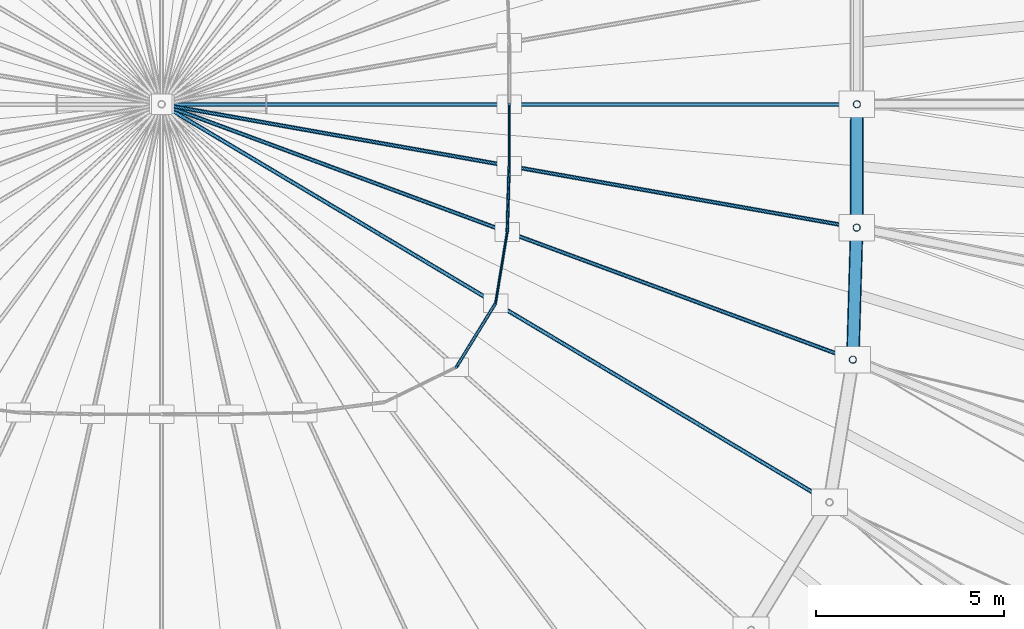
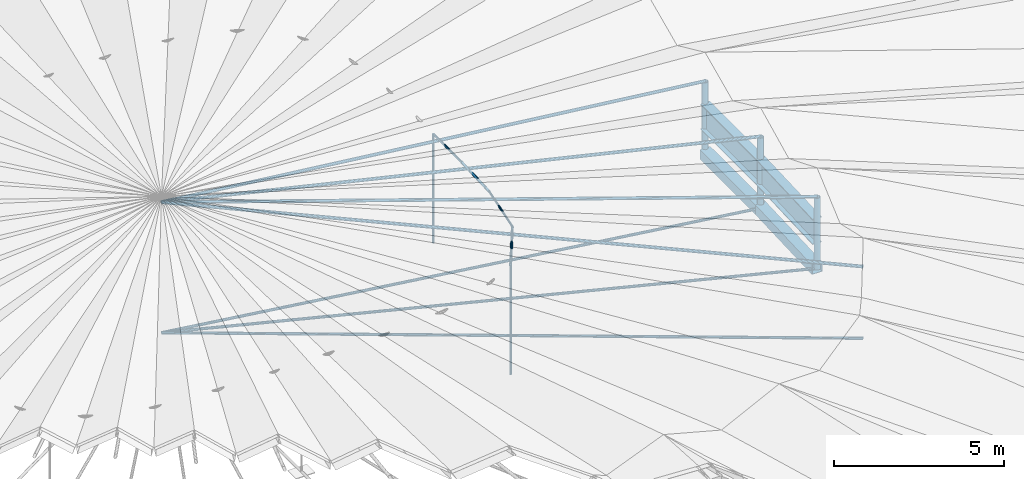
# One storey, part 21 of 41: 18 members, 2 beams.
"""IFC4 building model written with IfcOpenShell, lengths in metres."""

import ifcopenshell
import ifcopenshell.guid

model = None  # the IFC model being written
_history = None  # IfcOwnerHistory: only IFC2X3 demands one
_inside = {}  # id of a spatial element -> (the spatial element, [elements in it])
_under = {}  # id of a project, library or spatial element -> (it, [spatial elements below it])
_declared = {}  # id of a project -> (the project, [libraries it declares])
_typed = {}  # id of a type object -> (the type object, [elements of that type])
_made_of = {}  # id of a material, layer set ... -> (it, [elements and type objects made of it])


def new_model(schema):
    """Start an empty IFC model of exactly this schema.

    Asked for "IFC4X3", IfcOpenShell would pick the latest addendum, in which some entities
    have other attributes; the version numbers below select the first issue.
    IFC2X3 requires an IfcOwnerHistory on every rooted entity: one is made here for all.
    """
    global model, _history
    if schema == "IFC4X3":
        model = ifcopenshell.file(schema_version=(4, 3, 0, 0))
    else:
        model = ifcopenshell.file(schema=schema)
    _inside.clear()
    _under.clear()
    _declared.clear()
    _typed.clear()
    _made_of.clear()
    _history = None
    if model.schema == "IFC2X3":
        org = make("IfcOrganization", Name="unknown")
        user = make(
            "IfcPersonAndOrganization",
            ThePerson=make("IfcPerson", FamilyName="unknown"),
            TheOrganization=org,
        )
        app = make(
            "IfcApplication",
            ApplicationDeveloper=org,
            Version="unknown",
            ApplicationFullName="unknown",
            ApplicationIdentifier="unknown",
        )
        _history = make(
            "IfcOwnerHistory",
            OwningUser=user,
            OwningApplication=app,
            ChangeAction="ADDED",
            CreationDate=0,
        )
    return model


def make(cls, **values):
    """One entity of the class cls with the attributes given. An attribute that is None is left unset."""
    return model.create_entity(
        cls, **{name: value for name, value in values.items() if value is not None}
    )


def rooted(cls, **values):
    """An entity with a GlobalId (a new one), such as an element, a storey or a relation."""
    return make(cls, GlobalId=ifcopenshell.guid.new(), OwnerHistory=_history, **values)


def si_unit(unit_type, name, prefix=None):
    """IfcSIUnit, for example si_unit("LENGTHUNIT", "METRE", prefix="MILLI")."""
    return make("IfcSIUnit", UnitType=unit_type, Prefix=prefix, Name=name)


def assignment(units):
    """IfcUnitAssignment: the units of a project."""
    return None if units is None else make("IfcUnitAssignment", Units=units)


def point(xyz):
    """IfcCartesianPoint."""
    return None if xyz is None else make("IfcCartesianPoint", Coordinates=xyz)


def direction(xyz):
    """IfcDirection."""
    return None if xyz is None else make("IfcDirection", DirectionRatios=xyz)


def frame(location, z_axis=None, x_axis=None):
    """IfcAxis2Placement3D, a coordinate frame: its origin and axes. An axis left out is left unset."""
    return make(
        "IfcAxis2Placement3D",
        Location=point(location),
        Axis=direction(z_axis),
        RefDirection=direction(x_axis),
    )


def frame_2d(location, x_axis=None):
    """IfcAxis2Placement2D, a coordinate frame in the plane: its origin and x axis."""
    return make(
        "IfcAxis2Placement2D", Location=point(location), RefDirection=direction(x_axis)
    )


def origin():
    """The frame at (0, 0, 0) with its axes left unset."""
    return frame((0.0, 0.0, 0.0))


def origin_2d():
    """The frame at (0, 0) in the plane with its x axis left unset."""
    return frame_2d((0.0, 0.0))


def place(relative_to, where):
    """IfcLocalPlacement: puts the frame where relative to a parent placement (None: the world)."""
    return make(
        "IfcLocalPlacement", PlacementRelTo=relative_to, RelativePlacement=where
    )


def context(
    kind, dimensions, precision=None, world=None, true_north=None, identifier=None
):
    """IfcGeometricRepresentationContext, for example the 3D "Model" context."""
    return make(
        "IfcGeometricRepresentationContext",
        ContextIdentifier=identifier,
        ContextType=kind,
        CoordinateSpaceDimension=dimensions,
        Precision=precision,
        WorldCoordinateSystem=world,
        TrueNorth=true_north,
    )


def subcontext(parent, identifier, kind, view, scale=None):
    """IfcGeometricRepresentationSubContext, for example "Body" below "Model"."""
    return make(
        "IfcGeometricRepresentationSubContext",
        ContextIdentifier=identifier,
        ContextType=kind,
        ParentContext=parent,
        TargetScale=scale,
        TargetView=view,
    )


def project(units=None, contexts=None):
    """IfcProject with its units and contexts."""
    return rooted(
        "IfcProject",
        Name="project",
        RepresentationContexts=contexts,
        UnitsInContext=assignment(units),
    )


def spatial(cls, under=None, at=None, **own):
    """A site, building, storey or space (cls), placed at a placement, below another one or the project."""
    s = rooted(cls, ObjectPlacement=at, **own)
    if under is not None:
        _under.setdefault(under.id(), (under, []))[1].append(s)
    return s


def profile(cls, at=None, kind="AREA", **sizes):
    """A parametric profile (cls). Its sizes go by their IFC names, for example OverallWidth=200.0."""
    return make(cls, ProfileType=kind, Position=at, **sizes)


def hollow_rectangle(**sizes):
    """IfcRectangleHollowProfileDef."""
    return profile("IfcRectangleHollowProfileDef", **sizes)


def circle(**sizes):
    """IfcCircleProfileDef."""
    return profile("IfcCircleProfileDef", **sizes)


def hollow_circle(**sizes):
    """IfcCircleHollowProfileDef."""
    return profile("IfcCircleHollowProfileDef", **sizes)


def i_section(**sizes):
    """IfcIShapeProfileDef."""
    return profile("IfcIShapeProfileDef", **sizes)


def extrude(swept, where, along, depth):
    """IfcExtrudedAreaSolid: the profile swept, set in the frame where, extruded along a direction by depth."""
    return make(
        "IfcExtrudedAreaSolid",
        SweptArea=swept,
        Position=where,
        ExtrudedDirection=direction(along),
        Depth=depth,
    )


def shape(context_of_items, identifier, shape_type, items):
    """IfcShapeRepresentation: the items that make up one representation, for example the "Body"."""
    return make(
        "IfcShapeRepresentation",
        ContextOfItems=context_of_items,
        RepresentationIdentifier=identifier,
        RepresentationType=shape_type,
        Items=items,
    )


def material(Name=None, Category=None):
    """IfcMaterial."""
    return make("IfcMaterial", Name=Name, Category=Category)


def material_profile(
    of_material, cross_section, Name=None, Category=None, Priority=None
):
    """IfcMaterialProfile: a cross section and its material."""
    return make(
        "IfcMaterialProfile",
        Name=Name,
        Material=of_material,
        Profile=cross_section,
        Priority=Priority,
        Category=Category,
    )


def profile_set(profiles, Name=None, composite=None):
    """IfcMaterialProfileSet."""
    return make(
        "IfcMaterialProfileSet",
        Name=Name,
        MaterialProfiles=profiles,
        CompositeProfile=composite,
    )


def made_of(thing, what):
    """Note that an element or type object is made of a material, layer set ...; save() writes the relation."""
    if what is not None:
        _made_of.setdefault(what.id(), (what, []))[1].append(thing)
    return thing


def type_object(cls, material=None, **own):
    """A type object (cls), such as IfcWallType, which elements share."""
    return made_of(rooted(cls, **own), material)


def element(
    cls,
    number,
    at=None,
    inside=None,
    cuts=None,
    type_object=None,
    material=None,
    context=None,
    identifier="Body",
    shape_type=None,
    held_by="IfcProductDefinitionShape",
    body=None,
    shapes=None,
    **own,
):
    """One element of the class cls, such as IfcWall. Its Tag is "e" and its number.

    at: its placement. inside: the storey or other place that contains it. cuts: it is an
    opening in that element (IfcRelVoidsElement). A single representation is given by context,
    identifier, shape_type and body (its items); several are given by shapes. held_by: the class
    of the entity that holds the representations. save() writes the other relations.
    """
    e = rooted(cls, Tag="e%d" % number, ObjectPlacement=at, **own)
    if body is not None:
        shapes = [shape(context, identifier, shape_type, body)]
    if shapes is not None:
        e.Representation = make(held_by, Representations=shapes)
    if inside is not None:
        _inside.setdefault(inside.id(), (inside, []))[1].append(e)
    if cuts is not None:
        rooted(
            "IfcRelVoidsElement", RelatingBuildingElement=cuts, RelatedOpeningElement=e
        )
    if type_object is not None:
        _typed.setdefault(type_object.id(), (type_object, []))[1].append(e)
    return made_of(e, material)


def aggregate(whole, parts):
    """IfcRelAggregates: a whole, such as a stair, and the parts it consists of."""
    return rooted("IfcRelAggregates", RelatingObject=whole, RelatedObjects=parts)


def save(model, path):
    """Write the relations noted so far, then the file.

    IfcRelAggregates (storeys below a building ...), IfcRelContainedInSpatialStructure (elements
    in a storey), IfcRelDefinesByType, IfcRelAssociatesMaterial and IfcRelDeclares: one each for
    every whole, place, type object, material and project.
    """
    for whole, parts in _under.values():
        aggregate(whole, parts)
    for where, things in _inside.values():
        rooted(
            "IfcRelContainedInSpatialStructure",
            RelatedElements=things,
            RelatingStructure=where,
        )
    for kind, things in _typed.values():
        rooted("IfcRelDefinesByType", RelatedObjects=things, RelatingType=kind)
    for what, things in _made_of.values():
        rooted("IfcRelAssociatesMaterial", RelatedObjects=things, RelatingMaterial=what)
    for by, libraries in _declared.values():
        rooted("IfcRelDeclares", RelatingContext=by, RelatedDefinitions=libraries)
    model.write(path)


model = new_model("IFC4")

# Units and contexts
model_context = context("Model", 3, precision=1e-05, world=origin(), true_north=direction((0.0, 1.0)))
body_context = subcontext(model_context, "Body", "Model", "MODEL_VIEW")
ifc_project = project(units=[si_unit("LENGTHUNIT", "METRE"), si_unit("AREAUNIT", "SQUARE_METRE"), si_unit("VOLUMEUNIT", "CUBIC_METRE"), si_unit("PLANEANGLEUNIT", "RADIAN"), si_unit("MASSUNIT", "GRAM", prefix="KILO")], contexts=[model_context])

# Site, building, storey
site_placement = place(None, origin())
site = spatial("IfcSite", under=ifc_project, at=site_placement, CompositionType="ELEMENT")
building_placement = place(site_placement, origin())
building = spatial("IfcBuilding", under=site, at=building_placement, Name="Luwafu Chhajja Arena", CompositionType="ELEMENT")
storey_placement = place(building_placement, frame((0.0, 0.0, 29.699951171875)))
storey = spatial("IfcBuildingStorey", under=building, at=storey_placement, Name="RF", CompositionType="ELEMENT", Elevation=29.699951171875)

# Members
ifc_material_1 = material(Name="Steel S355", Category="steel")
ifc_material_profile_1 = material_profile(ifc_material_1, hollow_circle(Radius=0.096923828125, WallThickness=0.008056640625, at=origin_2d()), Name="CHS 193.7x8")
ifc_profile_set_1 = profile_set([ifc_material_profile_1], Name="Steel S355")
member_type_1 = type_object("IfcMemberType", Name="Folded Pleat Tie Strut CHS 194", PredefinedType="BRACE", material=ifc_profile_set_1)
for number, where, z_axis, x_axis, name in (
    (1, (117.5, 49.5, 4.10009765625), (0.0, 0.0, 1.0), (1.0, 0.0, 0.0), "Roof Inner Ring Truss Web IRW-01"),
    (2, (117.392822265625, 42.705078125, 4.10009765625), (0.0, 0.0, 1.0), (1.0, 0.0, 0.0), "Roof Inner Ring Truss Web IRW-31"),
    (3, (117.4951171875, 46.21875, 4.10009765625), (0.0, 0.0, 1.0), (1.0, 0.0, 0.0), "Roof Inner Ring Truss Web IRW-32"),
):
    element("IfcMember", number, at=place(storey_placement, frame(where, z_axis=z_axis, x_axis=x_axis)), inside=storey, type_object=member_type_1, Name=name, PredefinedType="BRACE", context=body_context, shape_type="SweptSolid", body=[
        extrude(hollow_circle(Radius=0.096923828125, WallThickness=0.008056640625, at=origin_2d()), origin(), (0.0, 0.0, 1.0), 2.579833984375),
    ])

# Beams
ifc_material_profile_2 = material_profile(ifc_material_1, i_section(OverallWidth=0.305419921875, OverallDepth=0.91845703125, WebThickness=0.017333984375, FlangeThickness=0.02783203125, at=origin_2d()), Name="UB 914x305x253")
ifc_profile_set_2 = profile_set([ifc_material_profile_2], Name="Steel S355")
beam_type = type_object("IfcBeamType", Name="Inner Tension Ring Girder UB 914x305x253", PredefinedType="BEAM", material=ifc_profile_set_2)
beam_1_placement = place(storey_placement, frame((117.392822265625, 42.705078125, 5.449951171875), z_axis=(0.029101066059, 0.99957647429, 0.0), x_axis=(-0.99957647429, 0.029101066059, 0.0)))
element("IfcBeam", 4, at=beam_1_placement, inside=storey, type_object=beam_type, Name="Roof Inner Tension Ring Beam IR-31", PredefinedType="BEAM", context=body_context, shape_type="SweptSolid", body=[
    extrude(i_section(OverallWidth=0.305419921875, OverallDepth=0.91845703125, WebThickness=0.017333984375, FlangeThickness=0.02783203125, at=origin_2d()), origin(), (0.0, 0.0, 1.0), 3.51513671875),
])
beam_2_placement = place(storey_placement, frame((117.4951171875, 46.21875, 5.449951171875), z_axis=(0.00148809359, 0.999998892788, 0.0), x_axis=(-0.999998892788, 0.00148809359, 0.0)))
element("IfcBeam", 5, at=beam_2_placement, inside=storey, type_object=beam_type, Name="Roof Inner Tension Ring Beam IR-32", PredefinedType="BEAM", context=body_context, shape_type="SweptSolid", body=[
    extrude(i_section(OverallWidth=0.305419921875, OverallDepth=0.91845703125, WebThickness=0.017333984375, FlangeThickness=0.02783203125, at=origin_2d()), origin(), (0.0, 0.0, 1.0), 3.28125),
])

# Members
ifc_material_2 = material(Name="Steel S460", Category="steel")
ifc_material_profile_3 = material_profile(ifc_material_2, circle(Radius=0.04248046875, at=origin_2d()), Name="CABLE D85")
ifc_profile_set_3 = profile_set([ifc_material_profile_3], Name="Steel S460")
member_type_2 = type_object("IfcMemberType", Name="Oculus Hoop Tie Cable D85", PredefinedType="USERDEFINED", material=ifc_profile_set_3)
member_1_placement = place(storey_placement, frame((106.8427734375, 42.505126953125, 8.02001953125), z_axis=(0.522969721503, 0.852351259981, 0.0), x_axis=(-0.852351259981, 0.522969721503, 0.0)))
element("IfcMember", 6, at=member_1_placement, inside=storey, type_object=member_type_2, Name="Cable net hoop cable CBH-29", ObjectType="CABLE", PredefinedType="USERDEFINED", context=body_context, shape_type="SweptSolid", body=[
    extrude(circle(Radius=0.04248046875, at=origin_2d()), origin(), (0.0, 0.0, 1.0), 1.993896484375),
])
member_2_placement = place(storey_placement, frame((108.1962890625, 46.1025390625, 8.02001953125), z_axis=(0.029170460649, 0.999574451567, 0.0), x_axis=(-0.999574451567, 0.029170460649, 0.0)))
element("IfcMember", 7, at=member_2_placement, inside=storey, type_object=member_type_2, Name="Cable net hoop cable CBH-31", ObjectType="CABLE", PredefinedType="USERDEFINED", context=body_context, shape_type="SweptSolid", body=[
    extrude(circle(Radius=0.04248046875, at=origin_2d()), origin(), (0.0, 0.0, 1.0), 1.757568359375),
])
ifc_material_profile_4 = material_profile(ifc_material_2, circle(Radius=0.054931640625, at=origin_2d()), Name="CABLE D110")
ifc_profile_set_4 = profile_set([ifc_material_profile_4], Name="Steel S460")
member_type_3 = type_object("IfcMemberType", Name="Oculus Radial Main Cable D110", PredefinedType="USERDEFINED", material=ifc_profile_set_4)
member_3_placement = place(storey_placement, frame((117.5, 49.5, 6.679931640625), z_axis=(-0.993497295716, 0.0, 0.113855713102), x_axis=(0.0, -1.0, 0.0)))
element("IfcMember", 8, at=member_3_placement, inside=storey, type_object=member_type_3, Name="Cable net main cable CBM-01", ObjectType="CABLE", PredefinedType="USERDEFINED", context=body_context, shape_type="SweptSolid", body=[
    extrude(circle(Radius=0.054931640625, at=origin_2d()), origin(), (0.0, 0.0, 1.0), 18.62109375),
])
member_4_placement = place(storey_placement, frame((116.771240234375, 38.909423828125, 6.679931640625), z_axis=(-0.854552305173, 0.509261096098, 0.101948485639), x_axis=(-0.511928407215, -0.859028117052, 0.0)))
element("IfcMember", 9, at=member_4_placement, inside=storey, type_object=member_type_3, Name="Cable net main cable CBM-30", ObjectType="CABLE", PredefinedType="USERDEFINED", context=body_context, shape_type="SweptSolid", body=[
    extrude(circle(Radius=0.054931640625, at=origin_2d()), origin(), (0.0, 0.0, 1.0), 20.7958984375),
])
member_5_placement = place(storey_placement, frame((117.392822265625, 42.705078125, 6.679931640625), z_axis=(-0.932598933948, 0.344533144798, 0.107499490853), x_axis=(-0.346541303298, -0.938034714234, 0.0)))
element("IfcMember", 10, at=member_5_placement, inside=storey, type_object=member_type_3, Name="Cable net main cable CBM-31", ObjectType="CABLE", PredefinedType="USERDEFINED", context=body_context, shape_type="SweptSolid", body=[
    extrude(circle(Radius=0.054931640625, at=origin_2d()), origin(), (0.0, 0.0, 1.0), 19.72216796875),
])
member_6_placement = place(storey_placement, frame((117.4951171875, 46.21875, 6.679931640625), z_axis=(-0.978412125262, 0.173581748819, 0.11215654068), x_axis=(-0.174683908095, -0.984624564112, 0.0)))
element("IfcMember", 11, at=member_6_placement, inside=storey, type_object=member_type_3, Name="Cable net main cable CBM-32", ObjectType="CABLE", PredefinedType="USERDEFINED", context=body_context, shape_type="SweptSolid", body=[
    extrude(circle(Radius=0.054931640625, at=origin_2d()), origin(), (0.0, 0.0, 1.0), 18.903076171875),
])
ifc_material_profile_5 = material_profile(ifc_material_2, circle(Radius=0.047607421875, at=origin_2d()), Name="CABLE D95")
ifc_profile_set_5 = profile_set([ifc_material_profile_5], Name="Steel S460")
member_type_4 = type_object("IfcMemberType", Name="Oculus Radial Stabilizing Cable D95", PredefinedType="USERDEFINED", material=ifc_profile_set_5)
member_7_placement = place(storey_placement, frame((116.771240234375, 38.909423828125, 4.10009765625), z_axis=(-0.859028117052, 0.511928407215, 0.0), x_axis=(-0.511928407215, -0.859028117052, 0.0)))
element("IfcMember", 12, at=member_7_placement, inside=storey, type_object=member_type_4, Name="Cable net radial split stabilizing cable CBS-30", ObjectType="CABLE", PredefinedType="USERDEFINED", context=body_context, shape_type="SweptSolid", body=[
    extrude(circle(Radius=0.047607421875, at=origin_2d()), origin(), (0.0, 0.0, 1.0), 20.6875),
])
member_8_placement = place(storey_placement, frame((117.392822265625, 42.705078125, 4.10009765625), z_axis=(-0.938034714234, 0.346541303298, 0.0), x_axis=(-0.346541303298, -0.938034714234, 0.0)))
element("IfcMember", 13, at=member_8_placement, inside=storey, type_object=member_type_4, Name="Cable net radial split stabilizing cable CBS-31", ObjectType="CABLE", PredefinedType="USERDEFINED", context=body_context, shape_type="SweptSolid", body=[
    extrude(circle(Radius=0.047607421875, at=origin_2d()), origin(), (0.0, 0.0, 1.0), 19.60791015625),
])
member_9_placement = place(storey_placement, frame((117.4951171875, 46.21875, 4.10009765625), z_axis=(-0.984624564112, 0.174683908095, 0.0), x_axis=(-0.174683908095, -0.984624564112, 0.0)))
element("IfcMember", 14, at=member_9_placement, inside=storey, type_object=member_type_4, Name="Cable net radial split stabilizing cable CBS-32", ObjectType="CABLE", PredefinedType="USERDEFINED", context=body_context, shape_type="SweptSolid", body=[
    extrude(circle(Radius=0.047607421875, at=origin_2d()), origin(), (0.0, 0.0, 1.0), 18.783935546875),
])
ifc_material_profile_6 = material_profile(ifc_material_2, circle(Radius=0.034912109375, at=origin_2d()), Name="CABLE D70")
ifc_profile_set_6 = profile_set([ifc_material_profile_6], Name="Steel S460")
member_type_5 = type_object("IfcMemberType", Name="Oculus Secondary Tie Cable D70", PredefinedType="USERDEFINED", material=ifc_profile_set_6)
for number, where, z_axis, x_axis, name in (
    (15, (108.25, 49.5, 4.10009765625), (0.0, 0.0, 1.0), (1.0, 0.0, 0.0), "Cable net vertical hanger tie CBT-01"),
    (16, (106.8427734375, 42.505126953125, 4.10009765625), (0.0, 0.0, 1.0), (1.0, 0.0, 0.0), "Cable net vertical hanger tie CBT-08"),
):
    element("IfcMember", number, at=place(storey_placement, frame(where, z_axis=z_axis, x_axis=x_axis)), inside=storey, type_object=member_type_5, Name=name, ObjectType="CABLE", PredefinedType="USERDEFINED", context=body_context, shape_type="SweptSolid", body=[
        extrude(circle(Radius=0.034912109375, at=origin_2d()), origin(), (0.0, 0.0, 1.0), 3.919921875),
    ])
member_10_placement = place(storey_placement, frame((107.885498046875, 44.20458984375, 8.02001953125), z_axis=(0.161598712618, 0.98685655294, 0.0), x_axis=(-0.98685655294, 0.161598712618, 0.0)))
element("IfcMember", 17, at=member_10_placement, inside=storey, type_object=member_type_5, Name="Cable net hoop cable CBH-30", ObjectType="CABLE", PredefinedType="USERDEFINED", context=body_context, shape_type="SweptSolid", body=[
    extrude(circle(Radius=0.034912109375, at=origin_2d()), origin(), (0.0, 0.0, 1.0), 1.92333984375),
])
member_11_placement = place(storey_placement, frame((108.24755859375, 47.859375, 8.02001953125), z_axis=(0.00148809359, 0.999998892788, 0.0), x_axis=(-0.999998892788, 0.00148809359, 0.0)))
element("IfcMember", 18, at=member_11_placement, inside=storey, type_object=member_type_5, Name="Cable net hoop cable CBH-32", ObjectType="CABLE", PredefinedType="USERDEFINED", context=body_context, shape_type="SweptSolid", body=[
    extrude(circle(Radius=0.034912109375, at=origin_2d()), origin(), (0.0, 0.0, 1.0), 1.640625),
])
ifc_material_profile_7 = material_profile(ifc_material_1, hollow_rectangle(XDim=0.35009765625, YDim=0.35009765625, WallThickness=0.01611328125, at=origin_2d()), Name="SHS 350x350x16")
ifc_profile_set_7 = profile_set([ifc_material_profile_7], Name="Steel S355")
member_type_6 = type_object("IfcMemberType", Name="Ring Stabilizing Truss Chord SHS 350", PredefinedType="CHORD", material=ifc_profile_set_7)
member_12_placement = place(storey_placement, frame((117.392822265625, 42.705078125, 4.10009765625), z_axis=(0.029101066059, 0.99957647429, 0.0), x_axis=(-0.99957647429, 0.029101066059, 0.0)))
element("IfcMember", 19, at=member_12_placement, inside=storey, type_object=member_type_6, Name="Roof Inner Stabilizing Ring Chord IRC-31", PredefinedType="CHORD", context=body_context, shape_type="SweptSolid", body=[
    extrude(hollow_rectangle(XDim=0.35009765625, YDim=0.35009765625, WallThickness=0.01611328125, at=origin_2d()), origin(), (0.0, 0.0, 1.0), 3.51513671875),
])
member_13_placement = place(storey_placement, frame((117.4951171875, 46.21875, 4.10009765625), z_axis=(0.00148809359, 0.999998892788, 0.0), x_axis=(-0.999998892788, 0.00148809359, 0.0)))
element("IfcMember", 20, at=member_13_placement, inside=storey, type_object=member_type_6, Name="Roof Inner Stabilizing Ring Chord IRC-32", PredefinedType="CHORD", context=body_context, shape_type="SweptSolid", body=[
    extrude(hollow_rectangle(XDim=0.35009765625, YDim=0.35009765625, WallThickness=0.01611328125, at=origin_2d()), origin(), (0.0, 0.0, 1.0), 3.28125),
])

save(model, "model.ifc")
